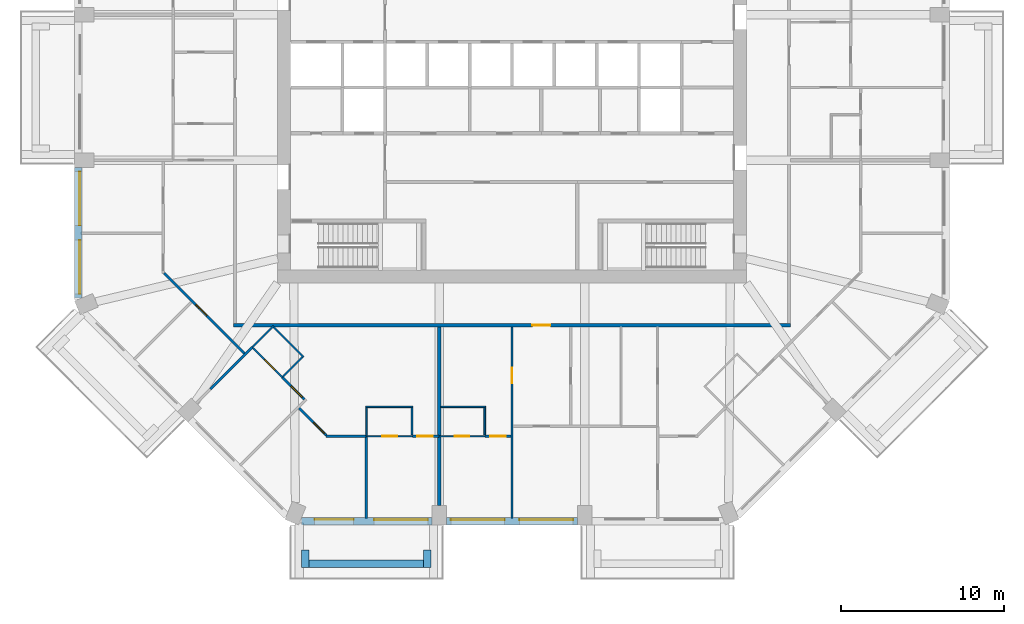
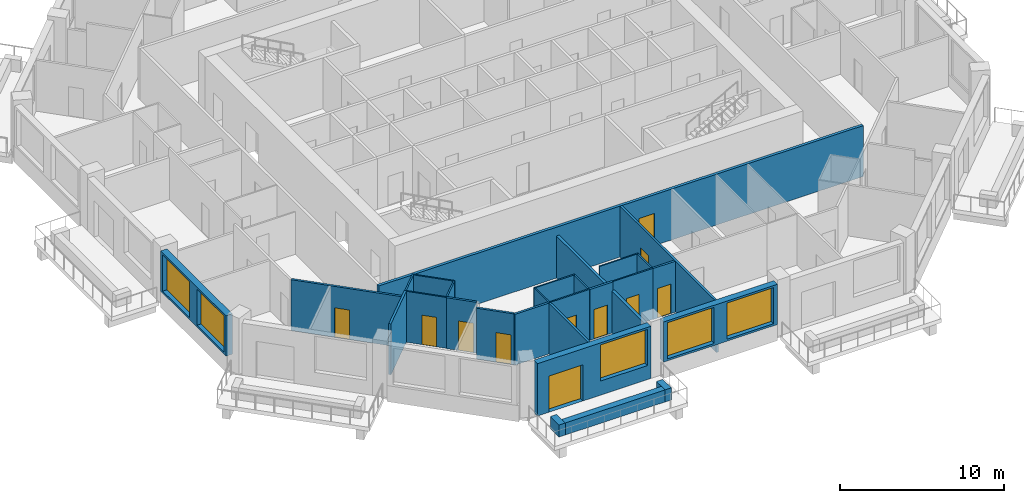
# One storey, part 3 of 13: 28 walls, 11 doors, 5 windows, 16 openings.
"""IFC4 building model written with IfcOpenShell, lengths in metres."""

from ifc_helpers import new_model, si_unit, direction, frame, frame_2d, origin, place, context, subcontext, project, spatial, rectangle, extrude, material, layer, layer_set, type_object, element, fill, save


model = new_model("IFC4")

# Units and contexts
model_context = context("Model", 3, precision=1e-05, world=origin(), true_north=direction((0.0, 1.0)))
body_context = subcontext(model_context, "Body", "Model", "MODEL_VIEW")
ifc_project = project(units=[si_unit("LENGTHUNIT", "METRE"), si_unit("AREAUNIT", "SQUARE_METRE"), si_unit("VOLUMEUNIT", "CUBIC_METRE"), si_unit("PLANEANGLEUNIT", "RADIAN"), si_unit("MASSUNIT", "GRAM", prefix="KILO")], contexts=[model_context])

# Site, building, storey
site_placement = place(None, origin())
site = spatial("IfcSite", under=ifc_project, at=site_placement, CompositionType="ELEMENT")
building_placement = place(site_placement, origin())
building = spatial("IfcBuilding", under=site, at=building_placement, Name="Msitu Wima Residences", CompositionType="ELEMENT")
storey_placement = place(building_placement, frame((0.0, 0.0, 144.300048828125)))
storey = spatial("IfcBuildingStorey", under=building, at=storey_placement, Name="L33", CompositionType="ELEMENT", Elevation=144.300048828125)

# Walls
ifc_material_1 = material(Name="Facing brick")
ifc_layer_1 = layer(ifc_material_1, 0.06494140625, Name="Facing brick")
ifc_material_2 = material(Name="Concrete C40/50", Category="concrete")
ifc_layer_2 = layer(ifc_material_2, 0.156005859375, Name="Concrete C40/50")
ifc_material_3 = material(Name="Waterproofing membrane")
ifc_layer_3 = layer(ifc_material_3, 0.00390625, Name="Waterproofing membrane")
ifc_material_4 = material(Name="Planting soil and planting")
ifc_layer_4 = layer(ifc_material_4, 0.22509765625, Name="Planting soil and planting")
ifc_layer_set_1 = layer_set([ifc_layer_1, ifc_layer_2, ifc_layer_3, ifc_layer_4], Name="Concrete C40/50")
wall_type_1 = type_object("IfcWallType", Name="Balcony planter PLANTER PL450", PredefinedType="USERDEFINED", material=ifc_layer_set_1)
wall_1_placement = place(storey_placement, frame((-12.455810546875, -29.22509765625, 0.0), z_axis=(0.0, 0.0, 1.0), x_axis=(1.0, 0.0, 0.0)))
element("IfcWall", 1, at=wall_1_placement, inside=storey, type_object=wall_type_1, Name="Balcony planter S0 L33", ObjectType="PLANTER", PredefinedType="USERDEFINED", context=body_context, shape_type="SweptSolid", body=[
    extrude(rectangle(XDim=7.037109375, YDim=0.449951171875, at=frame_2d((3.5185546875, 0.0))), origin(), (0.0, 0.0, 1.0), 0.89990234375),
])
for number, where, z_axis, x_axis, name in (
    (2, (-12.680908203125, -28.39990234375, 0.0), (0.0, 0.0, 1.0), (0.0, -1.0, 0.0), "Balcony planter S0 L33"),
    (3, (-5.193603515625, -28.39990234375, 0.0), (0.0, 0.0, 1.0), (0.0, -1.0, 0.0), "Balcony planter S0 L33"),
):
    element("IfcWall", number, at=place(storey_placement, frame(where, z_axis=z_axis, x_axis=x_axis)), inside=storey, type_object=wall_type_1, Name=name, ObjectType="PLANTER", PredefinedType="USERDEFINED", context=body_context, shape_type="SweptSolid", body=[
        extrude(rectangle(XDim=1.050048828125, YDim=0.449951171875, at=frame_2d((0.52490234375, 0.0))), origin(), (0.0, 0.0, 1.0), 0.89990234375),
    ])

# Wall, openings, windows
ifc_material_5 = material(Name="Brick (red buff mix)", Category="masonry")
ifc_layer_5 = layer(ifc_material_5, 0.449951171875)
ifc_layer_set_2 = layer_set([ifc_layer_5], Name="Brick (red buff mix)")
wall_type_2 = type_object("IfcWallType", Name="Brick infill wall BW450", PredefinedType="SOLIDWALL", material=ifc_layer_set_2)
wall_2_placement = place(storey_placement, frame((-26.625, -4.918701171875, 0.89990234375), z_axis=(0.0, 0.0, 1.0), x_axis=(0.0, -1.0, 0.0)))
wall_2 = element("IfcWall", 4, at=wall_2_placement, inside=storey, type_object=wall_type_2, Name="Brick infill wall L33 W2", PredefinedType="SOLIDWALL", context=body_context, shape_type="SweptSolid", body=[
    extrude(rectangle(XDim=8.0, YDim=0.449951171875, at=frame_2d((4.0, 0.0))), origin(), (0.0, 0.0, 1.0), 3.0),
])
opening_1_placement = place(wall_2_placement, frame((0.25, 0.0, 0.14990234375)))
opening_1 = element("IfcOpeningElement", 5, at=opening_1_placement, cuts=wall_2, Name="Opening W33.029", PredefinedType="OPENING", context=body_context, shape_type="SweptSolid", body=[
    extrude(rectangle(XDim=3.300048828125, YDim=2.699951171875, at=frame_2d((1.64990234375, 1.35009765625))), frame((0.0, 0.23486328125, 0.0), z_axis=(0.0, -1.0, 0.0), x_axis=(1.0, 0.0, 0.0)), (0.0, 0.0, 1.0), 0.469970703125),
])
opening_2_placement = place(wall_2_placement, frame((4.4501953125, 0.0, 0.14990234375)))
opening_2 = element("IfcOpeningElement", 6, at=opening_2_placement, cuts=wall_2, Name="Opening W33.030", PredefinedType="OPENING", context=body_context, shape_type="SweptSolid", body=[
    extrude(rectangle(XDim=3.300048828125, YDim=2.699951171875, at=frame_2d((1.64990234375, 1.35009765625))), frame((0.0, 0.23486328125, 0.0), z_axis=(0.0, -1.0, 0.0), x_axis=(1.0, 0.0, 0.0)), (0.0, 0.0, 1.0), 0.469970703125),
])
ifc_material_6 = material(Name="Anodised aluminium, bronze finish, clear low-emissivity double glazing", Category="aluminium")
window_type = type_object("IfcWindowType", Name="Window W3300x2700", PartitioningType="DOUBLE_PANEL_VERTICAL", PredefinedType="WINDOW", material=ifc_material_6)
window_1_placement = place(opening_1_placement, origin())
window_1 = element("IfcWindow", 7, at=window_1_placement, inside=storey, type_object=window_type, Name="Window L33 W2.1", OverallHeight=2.699951171875, OverallWidth=3.300048828125, PartitioningType="SINGLE_PANEL", PredefinedType="WINDOW", context=body_context, shape_type="SweptSolid", body=[
    extrude(rectangle(XDim=3.300048828125, YDim=2.699951171875, at=frame_2d((1.64990234375, 1.35009765625))), frame((0.0, 0.135009765625, 0.0), z_axis=(0.0, -1.0, 0.0), x_axis=(1.0, 0.0, 0.0)), (0.0, 0.0, 1.0), 0.06005859375),
])
fill(opening_1, window_1)
window_2_placement = place(opening_2_placement, origin())
window_2 = element("IfcWindow", 8, at=window_2_placement, inside=storey, type_object=window_type, Name="Window L33 W2.2", OverallHeight=2.699951171875, OverallWidth=3.300048828125, PartitioningType="SINGLE_PANEL", PredefinedType="WINDOW", context=body_context, shape_type="SweptSolid", body=[
    extrude(rectangle(XDim=3.300048828125, YDim=2.699951171875, at=frame_2d((1.64990234375, 1.35009765625))), frame((0.0, 0.135009765625, 0.0), z_axis=(0.0, -1.0, 0.0), x_axis=(1.0, 0.0, 0.0)), (0.0, 0.0, 1.0), 0.06005859375),
])
fill(opening_2, window_2)

# Wall, openings, door, window
wall_3_placement = place(storey_placement, frame((-12.918701171875, -26.625, 0.0), z_axis=(0.0, 0.0, 1.0), x_axis=(1.0, 0.0, 0.0)))
wall_3 = element("IfcWall", 9, at=wall_3_placement, inside=storey, type_object=wall_type_2, Name="Brick infill wall L33 S0", PredefinedType="SOLIDWALL", context=body_context, shape_type="SweptSolid", body=[
    extrude(rectangle(XDim=8.0, YDim=0.449951171875, at=frame_2d((4.0, 0.0))), origin(), (0.0, 0.0, 1.0), 3.89990234375),
])
opening_3_placement = place(wall_3_placement, frame((0.800048828125, 0.0, 0.0)))
opening_3 = element("IfcOpeningElement", 10, at=opening_3_placement, cuts=wall_3, Name="Opening D33.006", PredefinedType="OPENING", context=body_context, shape_type="SweptSolid", body=[
    extrude(rectangle(XDim=2.39990234375, YDim=2.699951171875, at=frame_2d((1.199951171875, 1.35009765625))), frame((0.0, 0.23486328125, 0.0), z_axis=(0.0, -1.0, 0.0), x_axis=(1.0, 0.0, 0.0)), (0.0, 0.0, 1.0), 0.469970703125),
])
opening_4_placement = place(wall_3_placement, frame((4.4501953125, 0.0, 1.050048828125)))
opening_4 = element("IfcOpeningElement", 11, at=opening_4_placement, cuts=wall_3, Name="Opening W33.016", PredefinedType="OPENING", context=body_context, shape_type="SweptSolid", body=[
    extrude(rectangle(XDim=3.300048828125, YDim=2.699951171875, at=frame_2d((1.64990234375, 1.35009765625))), frame((0.0, 0.23486328125, 0.0), z_axis=(0.0, -1.0, 0.0), x_axis=(1.0, 0.0, 0.0)), (0.0, 0.0, 1.0), 0.469970703125),
])
door_type_1 = type_object("IfcDoorType", Name="Balcony door D2400x2700", OperationType="SLIDING_TO_LEFT", PredefinedType="DOOR", material=ifc_material_6)
door_1_placement = place(opening_3_placement, origin())
door_1 = element("IfcDoor", 12, at=door_1_placement, inside=storey, type_object=door_type_1, Name="Balcony door L33 S0", OperationType="SINGLE_SWING_LEFT", OverallHeight=2.699951171875, OverallWidth=2.39990234375, PredefinedType="DOOR", context=body_context, shape_type="SweptSolid", body=[
    extrude(rectangle(XDim=2.39990234375, YDim=2.699951171875, at=frame_2d((1.199951171875, 1.35009765625))), frame((0.0, 0.1298828125, 0.0), z_axis=(0.0, -1.0, 0.0), x_axis=(1.0, 0.0, 0.0)), (0.0, 0.0, 1.0), 0.050048828125),
])
fill(opening_3, door_1)
window_3_placement = place(opening_4_placement, origin())
window_3 = element("IfcWindow", 13, at=window_3_placement, inside=storey, type_object=window_type, Name="Window L33 S0.2", OverallHeight=2.699951171875, OverallWidth=3.300048828125, PartitioningType="SINGLE_PANEL", PredefinedType="WINDOW", context=body_context, shape_type="SweptSolid", body=[
    extrude(rectangle(XDim=3.300048828125, YDim=2.699951171875, at=frame_2d((1.64990234375, 1.35009765625))), frame((0.0, 0.135009765625, 0.0), z_axis=(0.0, -1.0, 0.0), x_axis=(1.0, 0.0, 0.0)), (0.0, 0.0, 1.0), 0.06005859375),
])
fill(opening_4, window_3)

# Wall, openings, windows
wall_4_placement = place(storey_placement, frame((-4.0185546875, -26.625, 0.89990234375), z_axis=(0.0, 0.0, 1.0), x_axis=(1.0, 0.0, 0.0)))
wall_4 = element("IfcWall", 14, at=wall_4_placement, inside=storey, type_object=wall_type_2, Name="Brick infill wall L33 S1", PredefinedType="SOLIDWALL", context=body_context, shape_type="SweptSolid", body=[
    extrude(rectangle(XDim=8.037109375, YDim=0.449951171875, at=frame_2d((4.0185546875, 0.0))), origin(), (0.0, 0.0, 1.0), 3.0),
])
opening_5_placement = place(wall_4_placement, frame((0.2685546875, 0.0, 0.14990234375)))
opening_5 = element("IfcOpeningElement", 15, at=opening_5_placement, cuts=wall_4, Name="Opening W33.017", PredefinedType="OPENING", context=body_context, shape_type="SweptSolid", body=[
    extrude(rectangle(XDim=3.300048828125, YDim=2.699951171875, at=frame_2d((1.64990234375, 1.35009765625))), frame((0.0, 0.23486328125, 0.0), z_axis=(0.0, -1.0, 0.0), x_axis=(1.0, 0.0, 0.0)), (0.0, 0.0, 1.0), 0.469970703125),
])
opening_6_placement = place(wall_4_placement, frame((4.46875, 0.0, 0.14990234375)))
opening_6 = element("IfcOpeningElement", 16, at=opening_6_placement, cuts=wall_4, Name="Opening W33.018", PredefinedType="OPENING", context=body_context, shape_type="SweptSolid", body=[
    extrude(rectangle(XDim=3.300048828125, YDim=2.699951171875, at=frame_2d((1.64990234375, 1.35009765625))), frame((0.0, 0.23486328125, 0.0), z_axis=(0.0, -1.0, 0.0), x_axis=(1.0, 0.0, 0.0)), (0.0, 0.0, 1.0), 0.469970703125),
])
window_4_placement = place(opening_5_placement, origin())
window_4 = element("IfcWindow", 17, at=window_4_placement, inside=storey, type_object=window_type, Name="Window L33 S1.1", OverallHeight=2.699951171875, OverallWidth=3.300048828125, PartitioningType="SINGLE_PANEL", PredefinedType="WINDOW", context=body_context, shape_type="SweptSolid", body=[
    extrude(rectangle(XDim=3.300048828125, YDim=2.699951171875, at=frame_2d((1.64990234375, 1.35009765625))), frame((0.0, 0.135009765625, 0.0), z_axis=(0.0, -1.0, 0.0), x_axis=(1.0, 0.0, 0.0)), (0.0, 0.0, 1.0), 0.06005859375),
])
fill(opening_5, window_4)
window_5_placement = place(opening_6_placement, origin())
window_5 = element("IfcWindow", 18, at=window_5_placement, inside=storey, type_object=window_type, Name="Window L33 S1.2", OverallHeight=2.699951171875, OverallWidth=3.300048828125, PartitioningType="SINGLE_PANEL", PredefinedType="WINDOW", context=body_context, shape_type="SweptSolid", body=[
    extrude(rectangle(XDim=3.300048828125, YDim=2.699951171875, at=frame_2d((1.64990234375, 1.35009765625))), frame((0.0, 0.135009765625, 0.0), z_axis=(0.0, -1.0, 0.0), x_axis=(1.0, 0.0, 0.0)), (0.0, 0.0, 1.0), 0.06005859375),
])
fill(opening_6, window_5)

# Wall, opening, door
ifc_material_7 = material(Name="Plaster")
ifc_layer_6 = layer(ifc_material_7, 0.011962890625, Name="Plaster")
ifc_material_8 = material(Name="Concrete blockwork", Category="masonry")
ifc_layer_7 = layer(ifc_material_8, 0.176025390625, Name="Concrete blockwork")
ifc_layer_8 = layer(ifc_material_7, 0.011962890625, Name="Plaster")
ifc_layer_set_3 = layer_set([ifc_layer_6, ifc_layer_7, ifc_layer_8], Name="Concrete blockwork")
wall_type_3 = type_object("IfcWallType", Name="Corridor wall FW200", PredefinedType="PARTITIONING", material=ifc_layer_set_3)
wall_5_placement = place(storey_placement, frame((-17.10009765625, -14.60009765625, 0.0), z_axis=(0.0, 0.0, 1.0), x_axis=(1.0, 0.0, 0.0)))
wall_5 = element("IfcWall", 19, at=wall_5_placement, inside=storey, type_object=wall_type_3, Name="Corridor wall", PredefinedType="PARTITIONING", context=body_context, shape_type="SweptSolid", body=[
    extrude(rectangle(XDim=34.2001953125, YDim=0.199951171875, at=frame_2d((17.10009765625, 0.0))), origin(), (0.0, 0.0, 1.0), 3.7978515625),
])
opening_7_placement = place(wall_5_placement, frame((18.35009765625, 0.0, 0.0)))
opening_7 = element("IfcOpeningElement", 20, at=opening_7_placement, cuts=wall_5, Name="Opening D33.014", PredefinedType="OPENING", context=body_context, shape_type="SweptSolid", body=[
    extrude(rectangle(XDim=1.10009765625, YDim=2.39990234375, at=frame_2d((0.550048828125, 1.199951171875))), frame((0.0, 0.10986328125, 0.0), z_axis=(0.0, -1.0, 0.0), x_axis=(1.0, 0.0, 0.0)), (0.0, 0.0, 1.0), 0.219970703125),
])
ifc_material_9 = material(Name="Timber flush door, fire resisting, self-closing", Category="wood")
door_type_2 = type_object("IfcDoorType", Name="Flat entrance door D01 1100x2400", OperationType="SINGLE_SWING_LEFT", PredefinedType="DOOR", material=ifc_material_9)
door_2_placement = place(opening_7_placement, origin())
door_2 = element("IfcDoor", 21, at=door_2_placement, inside=storey, type_object=door_type_2, Name="Flat entrance door", OperationType="SINGLE_SWING_LEFT", OverallHeight=2.39990234375, OverallWidth=1.10009765625, PredefinedType="DOOR", context=body_context, shape_type="SweptSolid", body=[
    extrude(rectangle(XDim=1.10009765625, YDim=2.39990234375, at=frame_2d((0.550048828125, 1.199951171875))), frame((0.0, 0.02490234375, 0.0), z_axis=(0.0, -1.0, 0.0), x_axis=(1.0, 0.0, 0.0)), (0.0, 0.0, 1.0), 0.050048828125),
])
fill(opening_7, door_2)

ifc_layer_9 = layer(ifc_material_7, 0.011962890625, Name="Plaster")
ifc_layer_10 = layer(ifc_material_8, 0.1259765625, Name="Concrete blockwork")
ifc_layer_11 = layer(ifc_material_7, 0.011962890625, Name="Plaster")
ifc_layer_set_4 = layer_set([ifc_layer_9, ifc_layer_10, ifc_layer_11], Name="Concrete blockwork")
wall_type_4 = type_object("IfcWallType", Name="Partition PW150", PredefinedType="PARTITIONING", material=ifc_layer_set_4)
wall_6_placement = place(storey_placement, frame((-21.346923828125, -11.387939453125, 0.0), z_axis=(0.0, 0.0, 1.0), x_axis=(0.707106781187, -0.707106781187, 0.0)))
wall_6 = element("IfcWall", 22, at=wall_6_placement, inside=storey, type_object=wall_type_4, Name="Partition", PredefinedType="PARTITIONING", context=body_context, shape_type="SweptSolid", body=[
    extrude(rectangle(XDim=6.967041015625, YDim=0.14990234375, at=frame_2d((3.4833984375, 0.0))), origin(), (0.0, 0.0, 1.0), 3.7978515625),
])
opening_8_placement = place(wall_6_placement, frame((2.75, 0.0, 0.0)))
opening_8 = element("IfcOpeningElement", 23, at=opening_8_placement, cuts=wall_6, Name="Opening D33.064", PredefinedType="OPENING", context=body_context, shape_type="SweptSolid", body=[
    extrude(rectangle(XDim=0.949951171875, YDim=2.199951171875, at=frame_2d((0.47509765625, 1.10009765625))), frame((0.0, 0.0849609375, 0.0), z_axis=(0.0, -1.0, 0.0), x_axis=(1.0, 0.0, 0.0)), (0.0, 0.0, 1.0), 0.169921875),
])
ifc_material_10 = material(Name="Timber flush door", Category="wood")
door_type_3 = type_object("IfcDoorType", Name="Room door D12 950x2200", OperationType="SINGLE_SWING_LEFT", PredefinedType="DOOR", material=ifc_material_10)
door_3_placement = place(opening_8_placement, origin())
door_3 = element("IfcDoor", 24, at=door_3_placement, inside=storey, type_object=door_type_3, Name="Room door", OperationType="SINGLE_SWING_RIGHT", OverallHeight=2.199951171875, OverallWidth=0.949951171875, PredefinedType="DOOR", context=body_context, shape_type="SweptSolid", body=[
    extrude(rectangle(XDim=0.949951171875, YDim=2.199951171875, at=frame_2d((0.47509765625, 1.10009765625))), frame((0.0, 0.02490234375, 0.0), z_axis=(0.0, -1.0, 0.0), x_axis=(1.0, 0.0, 0.0)), (0.0, 0.0, 1.0), 0.050048828125),
])
fill(opening_8, door_3)

# Wall
wall_7_placement = place(storey_placement, frame((-18.517578125, -18.517578125, 0.0), z_axis=(0.0, 0.0, 1.0), x_axis=(0.707106781187, 0.707106781187, 0.0)))
element("IfcWall", 25, at=wall_7_placement, inside=storey, type_object=wall_type_4, Name="Partition", PredefinedType="PARTITIONING", context=body_context, shape_type="SweptSolid", body=[
    extrude(rectangle(XDim=3.660888671875, YDim=0.14990234375, at=frame_2d((1.83056640625, 0.0))), origin(), (0.0, 0.0, 1.0), 3.7978515625),
])

# Wall, opening, door
wall_8_placement = place(storey_placement, frame((-14.090576171875, -17.795654296875, 0.0), z_axis=(0.0, 0.0, 1.0), x_axis=(0.707106781187, -0.707106781187, 0.0)))
wall_8 = element("IfcWall", 26, at=wall_8_placement, inside=storey, type_object=wall_type_4, Name="Partition", PredefinedType="PARTITIONING", context=body_context, shape_type="SweptSolid", body=[
    extrude(rectangle(XDim=1.8994140625, YDim=0.14990234375, at=frame_2d((0.94970703125, 0.0))), origin(), (0.0, 0.0, 1.0), 3.7978515625),
])
opening_9_placement = place(wall_8_placement, frame((0.75, 0.0, 0.0)))
opening_9 = element("IfcOpeningElement", 27, at=opening_9_placement, cuts=wall_8, Name="Opening D33.067", PredefinedType="OPENING", context=body_context, shape_type="SweptSolid", body=[
    extrude(rectangle(XDim=0.949951171875, YDim=2.199951171875, at=frame_2d((0.47509765625, 1.10009765625))), frame((0.0, 0.0849609375, 0.0), z_axis=(0.0, -1.0, 0.0), x_axis=(1.0, 0.0, 0.0)), (0.0, 0.0, 1.0), 0.169921875),
])
door_4_placement = place(opening_9_placement, origin())
door_4 = element("IfcDoor", 28, at=door_4_placement, inside=storey, type_object=door_type_3, Name="Room door", OperationType="SINGLE_SWING_LEFT", OverallHeight=2.199951171875, OverallWidth=0.949951171875, PredefinedType="DOOR", context=body_context, shape_type="SweptSolid", body=[
    extrude(rectangle(XDim=0.949951171875, YDim=2.199951171875, at=frame_2d((0.47509765625, 1.10009765625))), frame((0.0, 0.02490234375, 0.0), z_axis=(0.0, -1.0, 0.0), x_axis=(1.0, 0.0, 0.0)), (0.0, 0.0, 1.0), 0.050048828125),
])
fill(opening_9, door_4)

wall_9_placement = place(storey_placement, frame((-13.06591796875, -19.6689453125, 0.0), z_axis=(0.0, 0.0, 1.0), x_axis=(0.707106781187, -0.707106781187, 0.0)))
wall_9 = element("IfcWall", 29, at=wall_9_placement, inside=storey, type_object=wall_type_4, Name="Partition", PredefinedType="PARTITIONING", context=body_context, shape_type="SweptSolid", body=[
    extrude(rectangle(XDim=2.373046875, YDim=0.14990234375, at=frame_2d((1.1865234375, 0.0))), origin(), (0.0, 0.0, 1.0), 3.7978515625),
])
opening_10_placement = place(wall_9_placement, frame((1.25, 0.0, 0.0)))
opening_10 = element("IfcOpeningElement", 30, at=opening_10_placement, cuts=wall_9, Name="Opening D33.069", PredefinedType="OPENING", context=body_context, shape_type="SweptSolid", body=[
    extrude(rectangle(XDim=0.949951171875, YDim=2.199951171875, at=frame_2d((0.47509765625, 1.10009765625))), frame((0.0, 0.0849609375, 0.0), z_axis=(0.0, -1.0, 0.0), x_axis=(1.0, 0.0, 0.0)), (0.0, 0.0, 1.0), 0.169921875),
])
door_5_placement = place(opening_10_placement, origin())
door_5 = element("IfcDoor", 31, at=door_5_placement, inside=storey, type_object=door_type_3, Name="Room door", OperationType="SINGLE_SWING_RIGHT", OverallHeight=2.199951171875, OverallWidth=0.949951171875, PredefinedType="DOOR", context=body_context, shape_type="SweptSolid", body=[
    extrude(rectangle(XDim=0.949951171875, YDim=2.199951171875, at=frame_2d((0.47509765625, 1.10009765625))), frame((0.0, 0.02490234375, 0.0), z_axis=(0.0, -1.0, 0.0), x_axis=(1.0, 0.0, 0.0)), (0.0, 0.0, 1.0), 0.050048828125),
])
fill(opening_10, door_5)

# Walls
wall_10_placement = place(storey_placement, frame((-11.409912109375, -21.39990234375, 0.0), z_axis=(0.0, 0.0, 1.0), x_axis=(1.0, 0.0, 0.0)))
element("IfcWall", 32, at=wall_10_placement, inside=storey, type_object=wall_type_4, Name="Partition", PredefinedType="PARTITIONING", context=body_context, shape_type="SweptSolid", body=[
    extrude(rectangle(XDim=2.45263671875, YDim=0.14990234375, at=frame_2d((1.226318359375, 0.0))), origin(), (0.0, 0.0, 1.0), 3.7978515625),
])
wall_11_placement = place(storey_placement, frame((-8.937255859375, -26.455078125, 0.0), z_axis=(0.0, 0.0, 1.0), x_axis=(0.0, 1.0, 0.0)))
element("IfcWall", 33, at=wall_11_placement, inside=storey, type_object=wall_type_4, Name="Partition", PredefinedType="PARTITIONING", context=body_context, shape_type="SweptSolid", body=[
    extrude(rectangle(XDim=5.0751953125, YDim=0.14990234375, at=frame_2d((2.53759765625, 0.0))), origin(), (0.0, 0.0, 1.0), 3.7978515625),
])

# Wall, opening, door
wall_12_placement = place(storey_placement, frame((-6.1171875, -21.39990234375, 0.0), z_axis=(0.0, 0.0, 1.0), x_axis=(1.0, 0.0, 0.0)))
wall_12 = element("IfcWall", 34, at=wall_12_placement, inside=storey, type_object=wall_type_4, Name="Partition", PredefinedType="PARTITIONING", context=body_context, shape_type="SweptSolid", body=[
    extrude(rectangle(XDim=1.6484375, YDim=0.14990234375, at=frame_2d((0.82421875, 0.0))), origin(), (0.0, 0.0, 1.0), 3.7978515625),
])
opening_11_placement = place(wall_12_placement, frame((0.300048828125, 0.0, 0.0)))
opening_11 = element("IfcOpeningElement", 35, at=opening_11_placement, cuts=wall_12, Name="Opening D33.065", PredefinedType="OPENING", context=body_context, shape_type="SweptSolid", body=[
    extrude(rectangle(XDim=0.949951171875, YDim=2.199951171875, at=frame_2d((0.47509765625, 1.10009765625))), frame((0.0, 0.0849609375, 0.0), z_axis=(0.0, -1.0, 0.0), x_axis=(1.0, 0.0, 0.0)), (0.0, 0.0, 1.0), 0.169921875),
])
door_6_placement = place(opening_11_placement, origin())
door_6 = element("IfcDoor", 36, at=door_6_placement, inside=storey, type_object=door_type_3, Name="Room door", OperationType="SINGLE_SWING_LEFT", OverallHeight=2.199951171875, OverallWidth=0.949951171875, PredefinedType="DOOR", context=body_context, shape_type="SweptSolid", body=[
    extrude(rectangle(XDim=0.949951171875, YDim=2.199951171875, at=frame_2d((0.47509765625, 1.10009765625))), frame((0.0, 0.02490234375, 0.0), z_axis=(0.0, -1.0, 0.0), x_axis=(1.0, 0.0, 0.0)), (0.0, 0.0, 1.0), 0.050048828125),
])
fill(opening_11, door_6)

wall_13_placement = place(storey_placement, frame((-1.648681640625, -21.39990234375, 0.0), z_axis=(0.0, 0.0, 1.0), x_axis=(1.0, 0.0, 0.0)))
wall_13 = element("IfcWall", 37, at=wall_13_placement, inside=storey, type_object=wall_type_4, Name="Partition", PredefinedType="PARTITIONING", context=body_context, shape_type="SweptSolid", body=[
    extrude(rectangle(XDim=1.57373046875, YDim=0.14990234375, at=frame_2d((0.786865234375, 0.0))), origin(), (0.0, 0.0, 1.0), 3.7978515625),
])
opening_12_placement = place(wall_13_placement, frame((0.300048828125, 0.0, 0.0)))
opening_12 = element("IfcOpeningElement", 38, at=opening_12_placement, cuts=wall_13, Name="Opening D33.074", PredefinedType="OPENING", context=body_context, shape_type="SweptSolid", body=[
    extrude(rectangle(XDim=0.949951171875, YDim=2.199951171875, at=frame_2d((0.47509765625, 1.10009765625))), frame((0.0, 0.0849609375, 0.0), z_axis=(0.0, -1.0, 0.0), x_axis=(1.0, 0.0, 0.0)), (0.0, 0.0, 1.0), 0.169921875),
])
door_7_placement = place(opening_12_placement, origin())
door_7 = element("IfcDoor", 39, at=door_7_placement, inside=storey, type_object=door_type_3, Name="Room door", OperationType="SINGLE_SWING_LEFT", OverallHeight=2.199951171875, OverallWidth=0.949951171875, PredefinedType="DOOR", context=body_context, shape_type="SweptSolid", body=[
    extrude(rectangle(XDim=0.949951171875, YDim=2.199951171875, at=frame_2d((0.47509765625, 1.10009765625))), frame((0.0, 0.02490234375, 0.0), z_axis=(0.0, -1.0, 0.0), x_axis=(1.0, 0.0, 0.0)), (0.0, 0.0, 1.0), 0.050048828125),
])
fill(opening_12, door_7)

wall_14_placement = place(storey_placement, frame((0.0, -26.455078125, 0.0), z_axis=(0.0, 0.0, 1.0), x_axis=(0.0, 1.0, 0.0)))
wall_14 = element("IfcWall", 40, at=wall_14_placement, inside=storey, type_object=wall_type_4, Name="Partition", PredefinedType="PARTITIONING", context=body_context, shape_type="SweptSolid", body=[
    extrude(rectangle(XDim=11.755126953125, YDim=0.14990234375, at=frame_2d((5.87744140625, 0.0))), origin(), (0.0, 0.0, 1.0), 3.7978515625),
])
opening_13_placement = place(wall_14_placement, frame((8.300048828125, 0.0, 0.0)))
opening_13 = element("IfcOpeningElement", 41, at=opening_13_placement, cuts=wall_14, Name="Opening D33.071", PredefinedType="OPENING", context=body_context, shape_type="SweptSolid", body=[
    extrude(rectangle(XDim=0.949951171875, YDim=2.199951171875, at=frame_2d((0.47509765625, 1.10009765625))), frame((0.0, 0.0849609375, 0.0), z_axis=(0.0, -1.0, 0.0), x_axis=(1.0, 0.0, 0.0)), (0.0, 0.0, 1.0), 0.169921875),
])
door_8_placement = place(opening_13_placement, origin())
door_8 = element("IfcDoor", 42, at=door_8_placement, inside=storey, type_object=door_type_3, Name="Room door", OperationType="SINGLE_SWING_RIGHT", OverallHeight=2.199951171875, OverallWidth=0.949951171875, PredefinedType="DOOR", context=body_context, shape_type="SweptSolid", body=[
    extrude(rectangle(XDim=0.949951171875, YDim=2.199951171875, at=frame_2d((0.47509765625, 1.10009765625))), frame((0.0, 0.02490234375, 0.0), z_axis=(0.0, -1.0, 0.0), x_axis=(1.0, 0.0, 0.0)), (0.0, 0.0, 1.0), 0.050048828125),
])
fill(opening_13, door_8)

# Walls
ifc_layer_12 = layer(ifc_material_7, 0.011962890625, Name="Plaster")
ifc_material_11 = material(Name="Dense concrete blockwork", Category="masonry")
ifc_layer_13 = layer(ifc_material_11, 0.176025390625, Name="Dense concrete blockwork")
ifc_layer_14 = layer(ifc_material_7, 0.011962890625, Name="Plaster")
ifc_layer_set_5 = layer_set([ifc_layer_12, ifc_layer_13, ifc_layer_14], Name="Dense concrete blockwork")
wall_type_5 = type_object("IfcWallType", Name="Party wall PW200", PredefinedType="PARTITIONING", material=ifc_layer_set_5)
wall_15_placement = place(storey_placement, frame((-4.46875, -25.64990234375, 0.0), z_axis=(0.0, 0.0, 1.0), x_axis=(0.0, 1.0, 0.0)))
element("IfcWall", 43, at=wall_15_placement, inside=storey, type_object=wall_type_5, Name="Party wall", PredefinedType="PARTITIONING", context=body_context, shape_type="SweptSolid", body=[
    extrude(rectangle(XDim=10.949951171875, YDim=0.199951171875, at=frame_2d((5.47509765625, 0.0))), origin(), (0.0, 0.0, 1.0), 3.14990234375),
])
ifc_material_12 = material(Name="Ceramic tiles")
ifc_layer_15 = layer(ifc_material_12, 0.008056640625, Name="Ceramic tiles")
ifc_material_13 = material(Name="Moisture-resistant board")
ifc_layer_16 = layer(ifc_material_13, 0.012451171875, Name="Moisture-resistant board")
ifc_material_14 = material(Name="Light-gauge stud framing with mineral wool")
ifc_layer_17 = layer(ifc_material_14, 0.06689453125, Name="Light-gauge stud framing with mineral wool")
ifc_layer_18 = layer(ifc_material_13, 0.012451171875, Name="Moisture-resistant board")
ifc_layer_set_6 = layer_set([ifc_layer_15, ifc_layer_16, ifc_layer_17, ifc_layer_18], Name="Light-gauge stud framing with mineral wool")
wall_type_6 = type_object("IfcWallType", Name="Wet wall PW100", PredefinedType="PARTITIONING", material=ifc_layer_set_6)
wall_16_placement = place(storey_placement, frame((-15.928955078125, -15.928955078125, 0.0), z_axis=(0.0, 0.0, 1.0), x_axis=(0.707106781187, 0.707106781187, 0.0)))
element("IfcWall", 44, at=wall_16_placement, inside=storey, type_object=wall_type_6, Name="Wet wall", PredefinedType="PARTITIONING", context=body_context, shape_type="SweptSolid", body=[
    extrude(rectangle(XDim=1.829833984375, YDim=0.10009765625, at=frame_2d((0.9150390625, 0.0))), origin(), (0.0, 0.0, 1.0), 3.7978515625),
])

# Wall, opening, door
wall_17_placement = place(storey_placement, frame((-15.89013671875, -15.99609375, 0.0), z_axis=(0.0, 0.0, 1.0), x_axis=(0.707106781187, -0.707106781187, 0.0)))
wall_17 = element("IfcWall", 45, at=wall_17_placement, inside=storey, type_object=wall_type_6, Name="Wet wall", PredefinedType="PARTITIONING", context=body_context, shape_type="SweptSolid", body=[
    extrude(rectangle(XDim=2.544921875, YDim=0.10009765625, at=frame_2d((1.2724609375, 0.0))), origin(), (0.0, 0.0, 1.0), 3.7978515625),
])
opening_14_placement = place(wall_17_placement, frame((1.0, 0.0, 0.0)))
opening_14 = element("IfcOpeningElement", 46, at=opening_14_placement, cuts=wall_17, Name="Opening D33.068", PredefinedType="OPENING", context=body_context, shape_type="SweptSolid", body=[
    extrude(rectangle(XDim=0.89990234375, YDim=2.199951171875, at=frame_2d((0.449951171875, 1.10009765625))), frame((0.0, 0.06005859375, 0.0), z_axis=(0.0, -1.0, 0.0), x_axis=(1.0, 0.0, 0.0)), (0.0, 0.0, 1.0), 0.1201171875),
])
ifc_material_15 = material(Name="Timber flush door, moisture resistant", Category="wood")
door_type_4 = type_object("IfcDoorType", Name="Bathroom door D03 900x2200", OperationType="SINGLE_SWING_LEFT", PredefinedType="DOOR", material=ifc_material_15)
door_9_placement = place(opening_14_placement, origin())
door_9 = element("IfcDoor", 47, at=door_9_placement, inside=storey, type_object=door_type_4, Name="Bathroom door", OperationType="SINGLE_SWING_RIGHT", OverallHeight=2.199951171875, OverallWidth=0.89990234375, PredefinedType="DOOR", context=body_context, shape_type="SweptSolid", body=[
    extrude(rectangle(XDim=0.89990234375, YDim=2.199951171875, at=frame_2d((0.449951171875, 1.10009765625))), frame((0.0, 0.02490234375, 0.0), z_axis=(0.0, -1.0, 0.0), x_axis=(1.0, 0.0, 0.0)), (0.0, 0.0, 1.0), 0.050048828125),
])
fill(opening_14, door_9)

# Walls
wall_18_placement = place(storey_placement, frame((-14.635009765625, -14.705810546875, 0.0), z_axis=(0.0, 0.0, 1.0), x_axis=(0.707106781187, -0.707106781187, 0.0)))
element("IfcWall", 48, at=wall_18_placement, inside=storey, type_object=wall_type_6, Name="Wet wall", PredefinedType="PARTITIONING", context=body_context, shape_type="SweptSolid", body=[
    extrude(rectangle(XDim=2.599853515625, YDim=0.10009765625, at=frame_2d((1.2998046875, 0.0))), origin(), (0.0, 0.0, 1.0), 3.7978515625),
])
wall_19_placement = place(storey_placement, frame((-14.0693359375, -17.746337890625, 0.0), z_axis=(0.0, 0.0, 1.0), x_axis=(0.707106781187, 0.707106781187, 0.0)))
element("IfcWall", 49, at=wall_19_placement, inside=storey, type_object=wall_type_6, Name="Wet wall", PredefinedType="PARTITIONING", context=body_context, shape_type="SweptSolid", body=[
    extrude(rectangle(XDim=1.7001953125, YDim=0.10009765625, at=frame_2d((0.85009765625, 0.0))), origin(), (0.0, 0.0, 1.0), 3.7978515625),
])

# Wall, opening, door
wall_20_placement = place(storey_placement, frame((-8.957275390625, -21.39990234375, 0.0), z_axis=(0.0, 0.0, 1.0), x_axis=(1.0, 0.0, 0.0)))
wall_20 = element("IfcWall", 50, at=wall_20_placement, inside=storey, type_object=wall_type_6, Name="Wet wall", PredefinedType="PARTITIONING", context=body_context, shape_type="SweptSolid", body=[
    extrude(rectangle(XDim=2.840087890625, YDim=0.10009765625, at=frame_2d((1.419921875, 0.0))), origin(), (0.0, 0.0, 1.0), 3.7978515625),
])
opening_15_placement = place(wall_20_placement, frame((1.0, 0.0, 0.0)))
opening_15 = element("IfcOpeningElement", 51, at=opening_15_placement, cuts=wall_20, Name="Opening D33.066", PredefinedType="OPENING", context=body_context, shape_type="SweptSolid", body=[
    extrude(rectangle(XDim=0.89990234375, YDim=2.199951171875, at=frame_2d((0.449951171875, 1.10009765625))), frame((0.0, 0.06005859375, 0.0), z_axis=(0.0, -1.0, 0.0), x_axis=(1.0, 0.0, 0.0)), (0.0, 0.0, 1.0), 0.1201171875),
])
door_10_placement = place(opening_15_placement, origin())
door_10 = element("IfcDoor", 52, at=door_10_placement, inside=storey, type_object=door_type_4, Name="Bathroom door", OperationType="SINGLE_SWING_RIGHT", OverallHeight=2.199951171875, OverallWidth=0.89990234375, PredefinedType="DOOR", context=body_context, shape_type="SweptSolid", body=[
    extrude(rectangle(XDim=0.89990234375, YDim=2.199951171875, at=frame_2d((0.449951171875, 1.10009765625))), frame((0.0, 0.02490234375, 0.0), z_axis=(0.0, -1.0, 0.0), x_axis=(1.0, 0.0, 0.0)), (0.0, 0.0, 1.0), 0.050048828125),
])
fill(opening_15, door_10)

# Walls
wall_21_placement = place(storey_placement, frame((-8.937255859375, -21.3798828125, 0.0), z_axis=(0.0, 0.0, 1.0), x_axis=(0.0, 1.0, 0.0)))
element("IfcWall", 53, at=wall_21_placement, inside=storey, type_object=wall_type_6, Name="Wet wall", PredefinedType="PARTITIONING", context=body_context, shape_type="SweptSolid", body=[
    extrude(rectangle(XDim=1.72998046875, YDim=0.10009765625, at=frame_2d((0.864990234375, 0.0))), origin(), (0.0, 0.0, 1.0), 3.7978515625),
])
wall_22_placement = place(storey_placement, frame((-8.9873046875, -19.60009765625, 0.0), z_axis=(0.0, 0.0, 1.0), x_axis=(1.0, 0.0, 0.0)))
element("IfcWall", 54, at=wall_22_placement, inside=storey, type_object=wall_type_6, Name="Wet wall", PredefinedType="PARTITIONING", context=body_context, shape_type="SweptSolid", body=[
    extrude(rectangle(XDim=2.900146484375, YDim=0.10009765625, at=frame_2d((1.4501953125, 0.0))), origin(), (0.0, 0.0, 1.0), 3.7978515625),
])
wall_23_placement = place(storey_placement, frame((-6.13720703125, -21.324951171875, 0.0), z_axis=(0.0, 0.0, 1.0), x_axis=(0.0, 1.0, 0.0)))
element("IfcWall", 55, at=wall_23_placement, inside=storey, type_object=wall_type_6, Name="Wet wall", PredefinedType="PARTITIONING", context=body_context, shape_type="SweptSolid", body=[
    extrude(rectangle(XDim=1.675048828125, YDim=0.10009765625, at=frame_2d((0.83740234375, 0.0))), origin(), (0.0, 0.0, 1.0), 3.7978515625),
])

# Wall, opening, door
wall_24_placement = place(storey_placement, frame((-4.46875, -21.39990234375, 0.0), z_axis=(0.0, 0.0, 1.0), x_axis=(1.0, 0.0, 0.0)))
wall_24 = element("IfcWall", 56, at=wall_24_placement, inside=storey, type_object=wall_type_6, Name="Wet wall", PredefinedType="PARTITIONING", context=body_context, shape_type="SweptSolid", body=[
    extrude(rectangle(XDim=2.820068359375, YDim=0.10009765625, at=frame_2d((1.41015625, 0.0))), origin(), (0.0, 0.0, 1.0), 3.7978515625),
])
opening_16_placement = place(wall_24_placement, frame((0.949951171875, 0.0, 0.0)))
opening_16 = element("IfcOpeningElement", 57, at=opening_16_placement, cuts=wall_24, Name="Opening D33.075", PredefinedType="OPENING", context=body_context, shape_type="SweptSolid", body=[
    extrude(rectangle(XDim=0.89990234375, YDim=2.199951171875, at=frame_2d((0.449951171875, 1.10009765625))), frame((0.0, 0.06005859375, 0.0), z_axis=(0.0, -1.0, 0.0), x_axis=(1.0, 0.0, 0.0)), (0.0, 0.0, 1.0), 0.1201171875),
])
door_11_placement = place(opening_16_placement, origin())
door_11 = element("IfcDoor", 58, at=door_11_placement, inside=storey, type_object=door_type_4, Name="Bathroom door", OperationType="SINGLE_SWING_LEFT", OverallHeight=2.199951171875, OverallWidth=0.89990234375, PredefinedType="DOOR", context=body_context, shape_type="SweptSolid", body=[
    extrude(rectangle(XDim=0.89990234375, YDim=2.199951171875, at=frame_2d((0.449951171875, 1.10009765625))), frame((0.0, 0.02490234375, 0.0), z_axis=(0.0, -1.0, 0.0), x_axis=(1.0, 0.0, 0.0)), (0.0, 0.0, 1.0), 0.050048828125),
])
fill(opening_16, door_11)

# Walls
wall_25_placement = place(storey_placement, frame((-4.36865234375, -19.60009765625, 0.0), z_axis=(0.0, 0.0, 1.0), x_axis=(1.0, 0.0, 0.0)))
element("IfcWall", 59, at=wall_25_placement, inside=storey, type_object=wall_type_6, Name="Wet wall", PredefinedType="PARTITIONING", context=body_context, shape_type="SweptSolid", body=[
    extrude(rectangle(XDim=2.75, YDim=0.10009765625, at=frame_2d((1.375, 0.0))), origin(), (0.0, 0.0, 1.0), 3.7978515625),
])
wall_26_placement = place(storey_placement, frame((-1.668701171875, -21.324951171875, 0.0), z_axis=(0.0, 0.0, 1.0), x_axis=(0.0, 1.0, 0.0)))
element("IfcWall", 60, at=wall_26_placement, inside=storey, type_object=wall_type_6, Name="Wet wall", PredefinedType="PARTITIONING", context=body_context, shape_type="SweptSolid", body=[
    extrude(rectangle(XDim=1.675048828125, YDim=0.10009765625, at=frame_2d((0.83740234375, 0.0))), origin(), (0.0, 0.0, 1.0), 3.7978515625),
])

save(model, "model.ifc")
